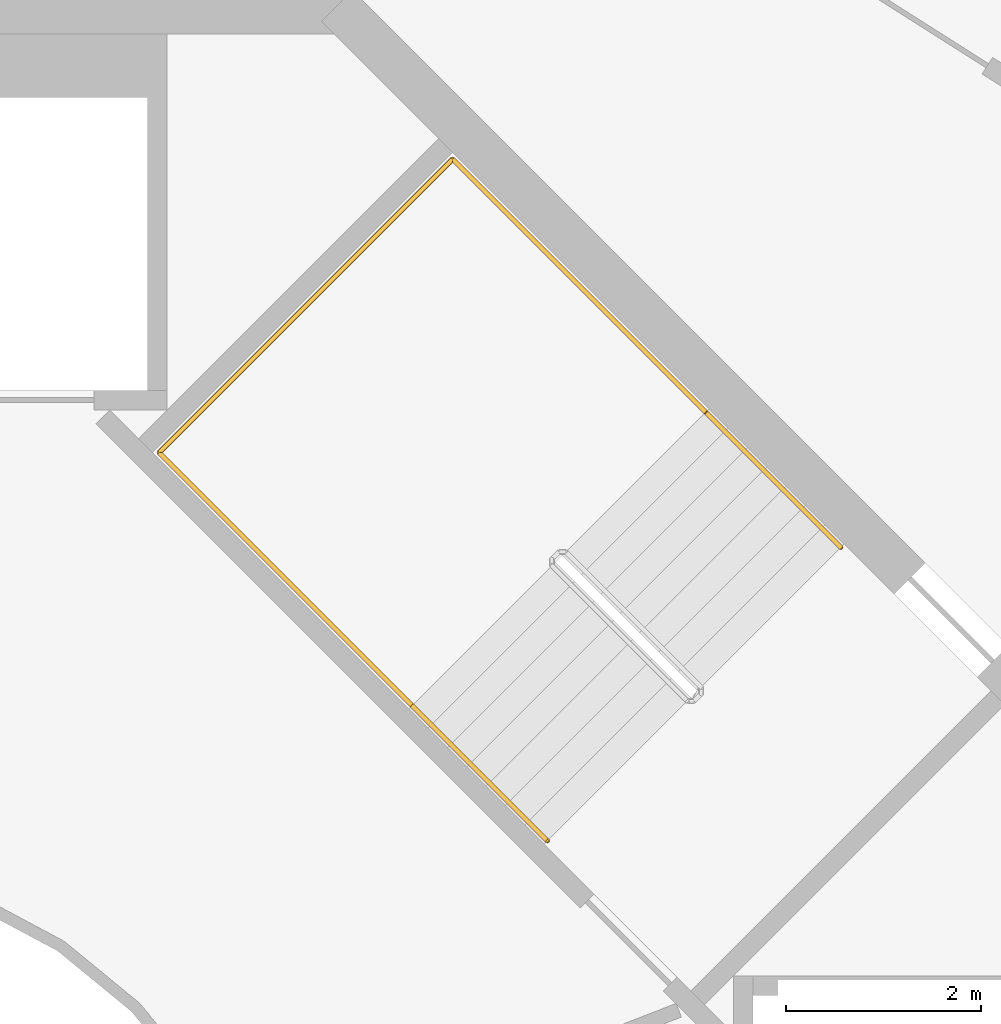
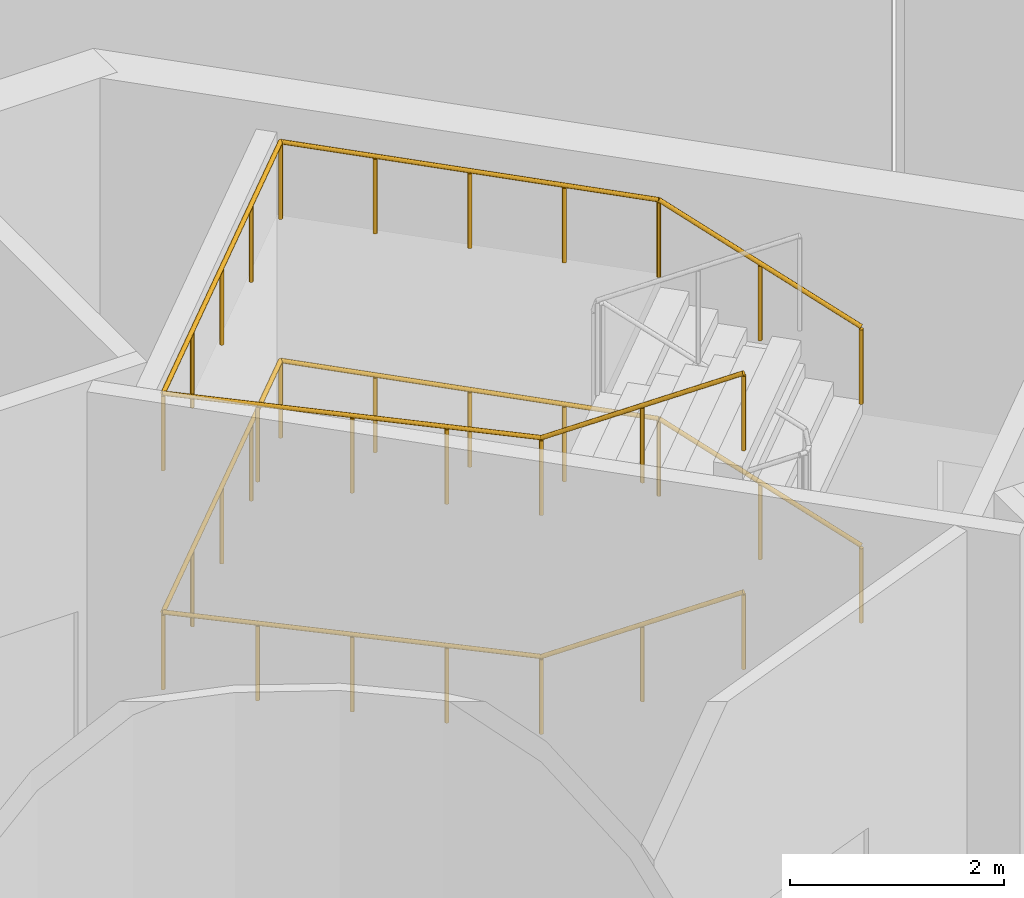
# One storey, part 21 of 21: 2 railings.
"""IFC4 building model written with IfcOpenShell, lengths in metres."""

import ifcopenshell
import ifcopenshell.guid

model = None  # the IFC model being written
_history = None  # IfcOwnerHistory: only IFC2X3 demands one
_inside = {}  # id of a spatial element -> (the spatial element, [elements in it])
_under = {}  # id of a project, library or spatial element -> (it, [spatial elements below it])
_declared = {}  # id of a project -> (the project, [libraries it declares])
_typed = {}  # id of a type object -> (the type object, [elements of that type])
_made_of = {}  # id of a material, layer set ... -> (it, [elements and type objects made of it])


def new_model(schema):
    """Start an empty IFC model of exactly this schema.

    Asked for "IFC4X3", IfcOpenShell would pick the latest addendum, in which some entities
    have other attributes; the version numbers below select the first issue.
    IFC2X3 requires an IfcOwnerHistory on every rooted entity: one is made here for all.
    """
    global model, _history
    if schema == "IFC4X3":
        model = ifcopenshell.file(schema_version=(4, 3, 0, 0))
    else:
        model = ifcopenshell.file(schema=schema)
    _inside.clear()
    _under.clear()
    _declared.clear()
    _typed.clear()
    _made_of.clear()
    _history = None
    if model.schema == "IFC2X3":
        org = make("IfcOrganization", Name="unknown")
        user = make(
            "IfcPersonAndOrganization",
            ThePerson=make("IfcPerson", FamilyName="unknown"),
            TheOrganization=org,
        )
        app = make(
            "IfcApplication",
            ApplicationDeveloper=org,
            Version="unknown",
            ApplicationFullName="unknown",
            ApplicationIdentifier="unknown",
        )
        _history = make(
            "IfcOwnerHistory",
            OwningUser=user,
            OwningApplication=app,
            ChangeAction="ADDED",
            CreationDate=0,
        )
    return model


def make(cls, **values):
    """One entity of the class cls with the attributes given. An attribute that is None is left unset."""
    return model.create_entity(
        cls, **{name: value for name, value in values.items() if value is not None}
    )


def rooted(cls, **values):
    """An entity with a GlobalId (a new one), such as an element, a storey or a relation."""
    return make(cls, GlobalId=ifcopenshell.guid.new(), OwnerHistory=_history, **values)


def si_unit(unit_type, name, prefix=None):
    """IfcSIUnit, for example si_unit("LENGTHUNIT", "METRE", prefix="MILLI")."""
    return make("IfcSIUnit", UnitType=unit_type, Prefix=prefix, Name=name)


def assignment(units):
    """IfcUnitAssignment: the units of a project."""
    return None if units is None else make("IfcUnitAssignment", Units=units)


def point(xyz):
    """IfcCartesianPoint."""
    return None if xyz is None else make("IfcCartesianPoint", Coordinates=xyz)


def direction(xyz):
    """IfcDirection."""
    return None if xyz is None else make("IfcDirection", DirectionRatios=xyz)


def frame(location, z_axis=None, x_axis=None):
    """IfcAxis2Placement3D, a coordinate frame: its origin and axes. An axis left out is left unset."""
    return make(
        "IfcAxis2Placement3D",
        Location=point(location),
        Axis=direction(z_axis),
        RefDirection=direction(x_axis),
    )


def frame_2d(location, x_axis=None):
    """IfcAxis2Placement2D, a coordinate frame in the plane: its origin and x axis."""
    return make(
        "IfcAxis2Placement2D", Location=point(location), RefDirection=direction(x_axis)
    )


def origin():
    """The frame at (0, 0, 0) with its axes left unset."""
    return frame((0.0, 0.0, 0.0))


def origin_2d():
    """The frame at (0, 0) in the plane with its x axis left unset."""
    return frame_2d((0.0, 0.0))


def place(relative_to, where):
    """IfcLocalPlacement: puts the frame where relative to a parent placement (None: the world)."""
    return make(
        "IfcLocalPlacement", PlacementRelTo=relative_to, RelativePlacement=where
    )


def context(
    kind, dimensions, precision=None, world=None, true_north=None, identifier=None
):
    """IfcGeometricRepresentationContext, for example the 3D "Model" context."""
    return make(
        "IfcGeometricRepresentationContext",
        ContextIdentifier=identifier,
        ContextType=kind,
        CoordinateSpaceDimension=dimensions,
        Precision=precision,
        WorldCoordinateSystem=world,
        TrueNorth=true_north,
    )


def subcontext(parent, identifier, kind, view, scale=None):
    """IfcGeometricRepresentationSubContext, for example "Body" below "Model"."""
    return make(
        "IfcGeometricRepresentationSubContext",
        ContextIdentifier=identifier,
        ContextType=kind,
        ParentContext=parent,
        TargetScale=scale,
        TargetView=view,
    )


def project(units=None, contexts=None):
    """IfcProject with its units and contexts."""
    return rooted(
        "IfcProject",
        Name="project",
        RepresentationContexts=contexts,
        UnitsInContext=assignment(units),
    )


def spatial(cls, under=None, at=None, **own):
    """A site, building, storey or space (cls), placed at a placement, below another one or the project."""
    s = rooted(cls, ObjectPlacement=at, **own)
    if under is not None:
        _under.setdefault(under.id(), (under, []))[1].append(s)
    return s


def profile(cls, at=None, kind="AREA", **sizes):
    """A parametric profile (cls). Its sizes go by their IFC names, for example OverallWidth=200.0."""
    return make(cls, ProfileType=kind, Position=at, **sizes)


def circle(**sizes):
    """IfcCircleProfileDef."""
    return profile("IfcCircleProfileDef", **sizes)


def extrude(swept, where, along, depth):
    """IfcExtrudedAreaSolid: the profile swept, set in the frame where, extruded along a direction by depth."""
    return make(
        "IfcExtrudedAreaSolid",
        SweptArea=swept,
        Position=where,
        ExtrudedDirection=direction(along),
        Depth=depth,
    )


def shape(context_of_items, identifier, shape_type, items):
    """IfcShapeRepresentation: the items that make up one representation, for example the "Body"."""
    return make(
        "IfcShapeRepresentation",
        ContextOfItems=context_of_items,
        RepresentationIdentifier=identifier,
        RepresentationType=shape_type,
        Items=items,
    )


def material(Name=None, Category=None):
    """IfcMaterial."""
    return make("IfcMaterial", Name=Name, Category=Category)


def made_of(thing, what):
    """Note that an element or type object is made of a material, layer set ...; save() writes the relation."""
    if what is not None:
        _made_of.setdefault(what.id(), (what, []))[1].append(thing)
    return thing


def type_object(cls, material=None, **own):
    """A type object (cls), such as IfcWallType, which elements share."""
    return made_of(rooted(cls, **own), material)


def element(
    cls,
    number,
    at=None,
    inside=None,
    cuts=None,
    type_object=None,
    material=None,
    context=None,
    identifier="Body",
    shape_type=None,
    held_by="IfcProductDefinitionShape",
    body=None,
    shapes=None,
    **own,
):
    """One element of the class cls, such as IfcWall. Its Tag is "e" and its number.

    at: its placement. inside: the storey or other place that contains it. cuts: it is an
    opening in that element (IfcRelVoidsElement). A single representation is given by context,
    identifier, shape_type and body (its items); several are given by shapes. held_by: the class
    of the entity that holds the representations. save() writes the other relations.
    """
    e = rooted(cls, Tag="e%d" % number, ObjectPlacement=at, **own)
    if body is not None:
        shapes = [shape(context, identifier, shape_type, body)]
    if shapes is not None:
        e.Representation = make(held_by, Representations=shapes)
    if inside is not None:
        _inside.setdefault(inside.id(), (inside, []))[1].append(e)
    if cuts is not None:
        rooted(
            "IfcRelVoidsElement", RelatingBuildingElement=cuts, RelatedOpeningElement=e
        )
    if type_object is not None:
        _typed.setdefault(type_object.id(), (type_object, []))[1].append(e)
    return made_of(e, material)


def aggregate(whole, parts):
    """IfcRelAggregates: a whole, such as a stair, and the parts it consists of."""
    return rooted("IfcRelAggregates", RelatingObject=whole, RelatedObjects=parts)


def save(model, path):
    """Write the relations noted so far, then the file.

    IfcRelAggregates (storeys below a building ...), IfcRelContainedInSpatialStructure (elements
    in a storey), IfcRelDefinesByType, IfcRelAssociatesMaterial and IfcRelDeclares: one each for
    every whole, place, type object, material and project.
    """
    for whole, parts in _under.values():
        aggregate(whole, parts)
    for where, things in _inside.values():
        rooted(
            "IfcRelContainedInSpatialStructure",
            RelatedElements=things,
            RelatingStructure=where,
        )
    for kind, things in _typed.values():
        rooted("IfcRelDefinesByType", RelatedObjects=things, RelatingType=kind)
    for what, things in _made_of.values():
        rooted("IfcRelAssociatesMaterial", RelatedObjects=things, RelatingMaterial=what)
    for by, libraries in _declared.values():
        rooted("IfcRelDeclares", RelatingContext=by, RelatedDefinitions=libraries)
    model.write(path)


model = new_model("IFC4")

# Units and contexts
model_context = context("Model", 3, precision=1e-05, world=origin(), true_north=direction((0.0, 1.0)))
body_context = subcontext(model_context, "Body", "Model", "MODEL_VIEW")
ifc_project = project(units=[si_unit("LENGTHUNIT", "METRE"), si_unit("AREAUNIT", "SQUARE_METRE"), si_unit("VOLUMEUNIT", "CUBIC_METRE"), si_unit("PLANEANGLEUNIT", "RADIAN"), si_unit("MASSUNIT", "GRAM", prefix="KILO")], contexts=[model_context])

# Site, building, storey
site_placement = place(None, origin())
site = spatial("IfcSite", under=ifc_project, at=site_placement, CompositionType="ELEMENT")
building_placement = place(site_placement, origin())
building = spatial("IfcBuilding", under=site, at=building_placement, Name="Verdalira Terraces Hotel", CompositionType="ELEMENT")
storey_placement = place(building_placement, frame((0.0, 0.0, 269.0)))
storey = spatial("IfcBuildingStorey", under=building, at=storey_placement, Name="L66", CompositionType="ELEMENT", Elevation=269.0)

# Railings
ifc_material = material(Name="Stainless steel", Category="steel")
railing_type = type_object("IfcRailingType", Name="Stair handrail 900", PredefinedType="HANDRAIL", material=ifc_material)
railing_1_placement = place(storey_placement, frame((10.801025, 8.290771, 0.15625)))
element("IfcRailing", 1, at=railing_1_placement, inside=storey, type_object=railing_type, Name="L66 ST1 stair handrail 1", PredefinedType="HANDRAIL", context=body_context, shape_type="SweptSolid", body=[
    extrude(circle(Radius=0.023926, at=origin_2d()), frame((0.0, 0.0, 0.875977), z_axis=(-0.61747733, 0.61747733, 0.48728174), x_axis=(-0.707106781, -0.707106781, 0.0)), (0.0, 0.0, 1.0), 2.244629),
    extrude(circle(Radius=0.023926, at=origin_2d()), frame((-1.385986, 1.385986, 1.969727), z_axis=(-0.707106781, 0.707106781, 0.0), x_axis=(-0.707106781, -0.707106781, 0.0)), (0.0, 0.0, 1.0), 3.665039),
    extrude(circle(Radius=0.023926, at=origin_2d()), frame((-3.977539, 3.977539, 1.969727), z_axis=(-0.707106781, -0.707106781, 0.0), x_axis=(0.707106781, -0.707106781, 0.0)), (0.0, 0.0, 1.0), 4.25),
    extrude(circle(Radius=0.023926, at=origin_2d()), frame((-6.982666, 0.972412, 1.969727), z_axis=(0.70646505, -0.70646505, 0.042594219), x_axis=(0.707106781, 0.707106781, 0.0)), (0.0, 0.0, 1.0), 3.668457),
    extrude(circle(Radius=0.023926, at=origin_2d()), frame((-4.391113, -1.619141, 2.125977), z_axis=(0.61747733, -0.61747733, 0.48728174), x_axis=(0.707106781, 0.707106781, 0.0)), (0.0, 0.0, 1.0), 2.244629),
    extrude(circle(Radius=0.020996, at=origin_2d()), origin(), (0.0, 0.0, 1.0), 0.851807),
    extrude(circle(Radius=0.020996, at=origin_2d()), frame((-0.692871, 0.692871, 0.546875)), (0.0, 0.0, 1.0), 0.851807),
    extrude(circle(Radius=0.020996, at=origin_2d()), frame((-1.385986, 1.385986, 1.09375)), (0.0, 0.0, 1.0), 0.851807),
    extrude(circle(Radius=0.020996, at=origin_2d()), frame((-2.033936, 2.033936, 1.09375)), (0.0, 0.0, 1.0), 0.851807),
    extrude(circle(Radius=0.020996, at=origin_2d()), frame((-2.681641, 2.681641, 1.09375)), (0.0, 0.0, 1.0), 0.851807),
    extrude(circle(Radius=0.020996, at=origin_2d()), frame((-3.32959, 3.32959, 1.09375)), (0.0, 0.0, 1.0), 0.851807),
    extrude(circle(Radius=0.020996, at=origin_2d()), frame((-3.977539, 3.977539, 1.09375)), (0.0, 0.0, 1.0), 0.851807),
    extrude(circle(Radius=0.020996, at=origin_2d()), frame((-4.72876, 3.226318, 1.09375)), (0.0, 0.0, 1.0), 0.851807),
    extrude(circle(Radius=0.020996, at=origin_2d()), frame((-5.47998, 2.475098, 1.09375)), (0.0, 0.0, 1.0), 0.851807),
    extrude(circle(Radius=0.020996, at=origin_2d()), frame((-6.231445, 1.723633, 1.09375)), (0.0, 0.0, 1.0), 0.851807),
    extrude(circle(Radius=0.020996, at=origin_2d()), frame((-6.982666, 0.972412, 1.09375)), (0.0, 0.0, 1.0), 0.851807),
    extrude(circle(Radius=0.020996, at=origin_2d()), frame((-6.334717, 0.324463, 1.132812)), (0.0, 0.0, 1.0), 0.851807),
    extrude(circle(Radius=0.020996, at=origin_2d()), frame((-5.687012, -0.323242, 1.171875)), (0.0, 0.0, 1.0), 0.851807),
    extrude(circle(Radius=0.020996, at=origin_2d()), frame((-5.039062, -0.971191, 1.210938)), (0.0, 0.0, 1.0), 0.851807),
    extrude(circle(Radius=0.020996, at=origin_2d()), frame((-4.391113, -1.619141, 1.25)), (0.0, 0.0, 1.0), 0.851807),
    extrude(circle(Radius=0.020996, at=origin_2d()), frame((-3.698242, -2.312012, 1.796875)), (0.0, 0.0, 1.0), 0.851807),
    extrude(circle(Radius=0.020996, at=origin_2d()), frame((-3.005127, -3.005127, 2.34375)), (0.0, 0.0, 1.0), 0.851807),
])
railing_2_placement = place(storey_placement, frame((10.801025, 8.290771, 2.65625)))
element("IfcRailing", 2, at=railing_2_placement, inside=storey, type_object=railing_type, Name="L66 ST1 stair handrail 2", PredefinedType="HANDRAIL", context=body_context, shape_type="SweptSolid", body=[
    extrude(circle(Radius=0.023926, at=origin_2d()), frame((0.0, 0.0, 0.875977), z_axis=(-0.61747733, 0.61747733, 0.48728174), x_axis=(-0.707106781, -0.707106781, 0.0)), (0.0, 0.0, 1.0), 2.244629),
    extrude(circle(Radius=0.023926, at=origin_2d()), frame((-1.385986, 1.385986, 1.969727), z_axis=(-0.707106781, 0.707106781, 0.0), x_axis=(-0.707106781, -0.707106781, 0.0)), (0.0, 0.0, 1.0), 3.665039),
    extrude(circle(Radius=0.023926, at=origin_2d()), frame((-3.977539, 3.977539, 1.969727), z_axis=(-0.707106781, -0.707106781, 0.0), x_axis=(0.707106781, -0.707106781, 0.0)), (0.0, 0.0, 1.0), 4.25),
    extrude(circle(Radius=0.023926, at=origin_2d()), frame((-6.982666, 0.972412, 1.969727), z_axis=(0.70646505, -0.70646505, 0.042594219), x_axis=(0.707106781, 0.707106781, 0.0)), (0.0, 0.0, 1.0), 3.668457),
    extrude(circle(Radius=0.023926, at=origin_2d()), frame((-4.391113, -1.619141, 2.125977), z_axis=(0.61747733, -0.61747733, 0.48728174), x_axis=(0.707106781, 0.707106781, 0.0)), (0.0, 0.0, 1.0), 2.244629),
    extrude(circle(Radius=0.020996, at=origin_2d()), origin(), (0.0, 0.0, 1.0), 0.851807),
    extrude(circle(Radius=0.020996, at=origin_2d()), frame((-0.692871, 0.692871, 0.546875)), (0.0, 0.0, 1.0), 0.851807),
    extrude(circle(Radius=0.020996, at=origin_2d()), frame((-1.385986, 1.385986, 1.09375)), (0.0, 0.0, 1.0), 0.851807),
    extrude(circle(Radius=0.020996, at=origin_2d()), frame((-2.033936, 2.033936, 1.09375)), (0.0, 0.0, 1.0), 0.851807),
    extrude(circle(Radius=0.020996, at=origin_2d()), frame((-2.681641, 2.681641, 1.09375)), (0.0, 0.0, 1.0), 0.851807),
    extrude(circle(Radius=0.020996, at=origin_2d()), frame((-3.32959, 3.32959, 1.09375)), (0.0, 0.0, 1.0), 0.851807),
    extrude(circle(Radius=0.020996, at=origin_2d()), frame((-3.977539, 3.977539, 1.09375)), (0.0, 0.0, 1.0), 0.851807),
    extrude(circle(Radius=0.020996, at=origin_2d()), frame((-4.72876, 3.226318, 1.09375)), (0.0, 0.0, 1.0), 0.851807),
    extrude(circle(Radius=0.020996, at=origin_2d()), frame((-5.47998, 2.475098, 1.09375)), (0.0, 0.0, 1.0), 0.851807),
    extrude(circle(Radius=0.020996, at=origin_2d()), frame((-6.231445, 1.723633, 1.09375)), (0.0, 0.0, 1.0), 0.851807),
    extrude(circle(Radius=0.020996, at=origin_2d()), frame((-6.982666, 0.972412, 1.09375)), (0.0, 0.0, 1.0), 0.851807),
    extrude(circle(Radius=0.020996, at=origin_2d()), frame((-6.334717, 0.324463, 1.132812)), (0.0, 0.0, 1.0), 0.851807),
    extrude(circle(Radius=0.020996, at=origin_2d()), frame((-5.687012, -0.323242, 1.171875)), (0.0, 0.0, 1.0), 0.851807),
    extrude(circle(Radius=0.020996, at=origin_2d()), frame((-5.039062, -0.971191, 1.210938)), (0.0, 0.0, 1.0), 0.851807),
    extrude(circle(Radius=0.020996, at=origin_2d()), frame((-4.391113, -1.619141, 1.25)), (0.0, 0.0, 1.0), 0.851807),
    extrude(circle(Radius=0.020996, at=origin_2d()), frame((-3.698242, -2.312012, 1.796875)), (0.0, 0.0, 1.0), 0.851807),
    extrude(circle(Radius=0.020996, at=origin_2d()), frame((-3.005127, -3.005127, 2.34375)), (0.0, 0.0, 1.0), 0.851807),
])

save(model, "model.ifc")
